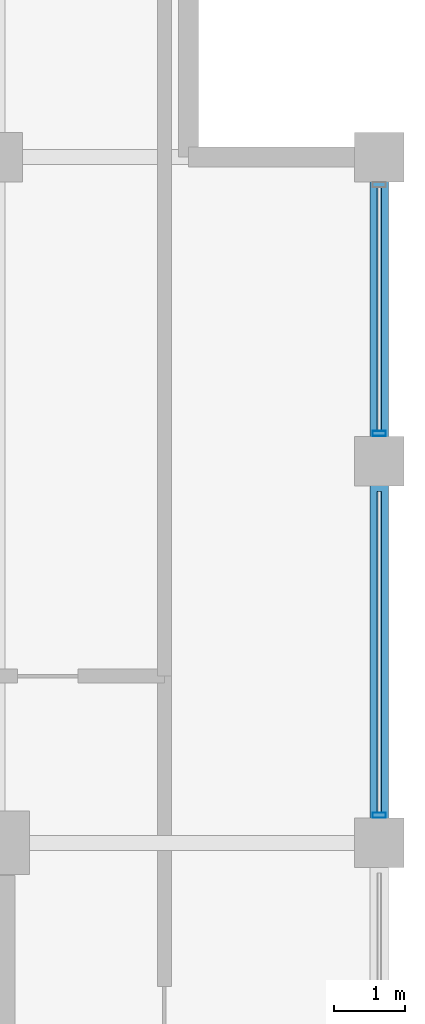
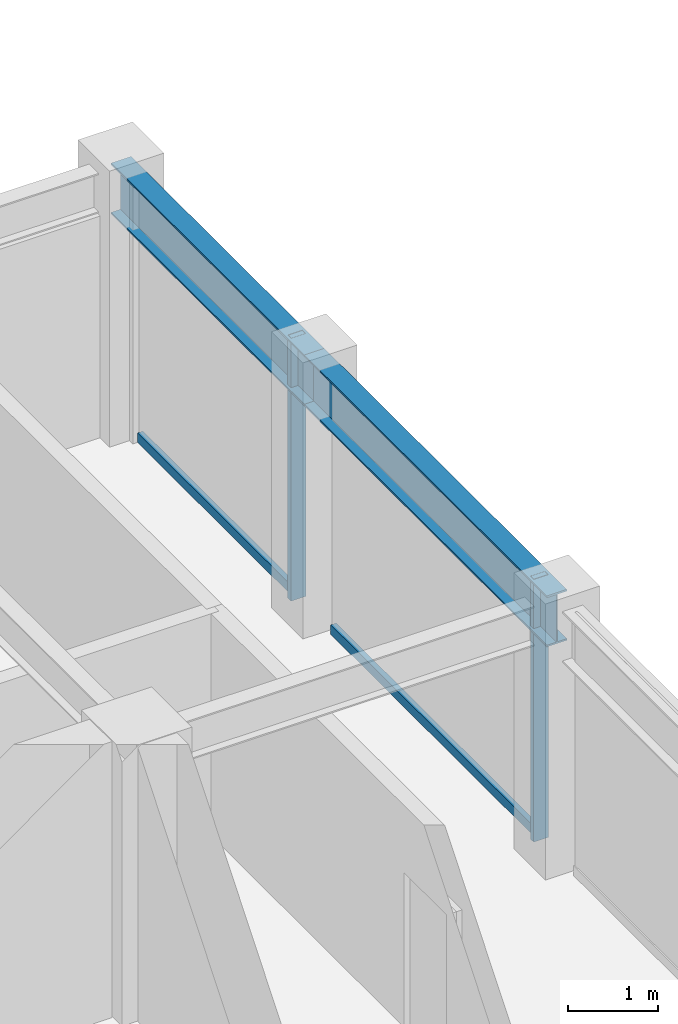
# One storey, part 21 of 31: 4 members, 2 beams, 1 element without a shape of its own.
"""IFC4 building model written with IfcOpenShell, lengths in metres."""

import ifcopenshell
import ifcopenshell.guid

model = None  # the IFC model being written
_history = None  # IfcOwnerHistory: only IFC2X3 demands one
_inside = {}  # id of a spatial element -> (the spatial element, [elements in it])
_under = {}  # id of a project, library or spatial element -> (it, [spatial elements below it])
_declared = {}  # id of a project -> (the project, [libraries it declares])
_typed = {}  # id of a type object -> (the type object, [elements of that type])
_made_of = {}  # id of a material, layer set ... -> (it, [elements and type objects made of it])


def new_model(schema):
    """Start an empty IFC model of exactly this schema.

    Asked for "IFC4X3", IfcOpenShell would pick the latest addendum, in which some entities
    have other attributes; the version numbers below select the first issue.
    IFC2X3 requires an IfcOwnerHistory on every rooted entity: one is made here for all.
    """
    global model, _history
    if schema == "IFC4X3":
        model = ifcopenshell.file(schema_version=(4, 3, 0, 0))
    else:
        model = ifcopenshell.file(schema=schema)
    _inside.clear()
    _under.clear()
    _declared.clear()
    _typed.clear()
    _made_of.clear()
    _history = None
    if model.schema == "IFC2X3":
        org = make("IfcOrganization", Name="unknown")
        user = make(
            "IfcPersonAndOrganization",
            ThePerson=make("IfcPerson", FamilyName="unknown"),
            TheOrganization=org,
        )
        app = make(
            "IfcApplication",
            ApplicationDeveloper=org,
            Version="unknown",
            ApplicationFullName="unknown",
            ApplicationIdentifier="unknown",
        )
        _history = make(
            "IfcOwnerHistory",
            OwningUser=user,
            OwningApplication=app,
            ChangeAction="ADDED",
            CreationDate=0,
        )
    return model


def make(cls, **values):
    """One entity of the class cls with the attributes given. An attribute that is None is left unset."""
    return model.create_entity(
        cls, **{name: value for name, value in values.items() if value is not None}
    )


def rooted(cls, **values):
    """An entity with a GlobalId (a new one), such as an element, a storey or a relation."""
    return make(cls, GlobalId=ifcopenshell.guid.new(), OwnerHistory=_history, **values)


def si_unit(unit_type, name, prefix=None):
    """IfcSIUnit, for example si_unit("LENGTHUNIT", "METRE", prefix="MILLI")."""
    return make("IfcSIUnit", UnitType=unit_type, Prefix=prefix, Name=name)


def assignment(units):
    """IfcUnitAssignment: the units of a project."""
    return None if units is None else make("IfcUnitAssignment", Units=units)


def point(xyz):
    """IfcCartesianPoint."""
    return None if xyz is None else make("IfcCartesianPoint", Coordinates=xyz)


def direction(xyz):
    """IfcDirection."""
    return None if xyz is None else make("IfcDirection", DirectionRatios=xyz)


def frame(location, z_axis=None, x_axis=None):
    """IfcAxis2Placement3D, a coordinate frame: its origin and axes. An axis left out is left unset."""
    return make(
        "IfcAxis2Placement3D",
        Location=point(location),
        Axis=direction(z_axis),
        RefDirection=direction(x_axis),
    )


def frame_2d(location, x_axis=None):
    """IfcAxis2Placement2D, a coordinate frame in the plane: its origin and x axis."""
    return make(
        "IfcAxis2Placement2D", Location=point(location), RefDirection=direction(x_axis)
    )


def origin():
    """The frame at (0, 0, 0) with its axes left unset."""
    return frame((0.0, 0.0, 0.0))


def origin_2d():
    """The frame at (0, 0) in the plane with its x axis left unset."""
    return frame_2d((0.0, 0.0))


def place(relative_to, where):
    """IfcLocalPlacement: puts the frame where relative to a parent placement (None: the world)."""
    return make(
        "IfcLocalPlacement", PlacementRelTo=relative_to, RelativePlacement=where
    )


def context(
    kind, dimensions, precision=None, world=None, true_north=None, identifier=None
):
    """IfcGeometricRepresentationContext, for example the 3D "Model" context."""
    return make(
        "IfcGeometricRepresentationContext",
        ContextIdentifier=identifier,
        ContextType=kind,
        CoordinateSpaceDimension=dimensions,
        Precision=precision,
        WorldCoordinateSystem=world,
        TrueNorth=true_north,
    )


def subcontext(parent, identifier, kind, view, scale=None):
    """IfcGeometricRepresentationSubContext, for example "Body" below "Model"."""
    return make(
        "IfcGeometricRepresentationSubContext",
        ContextIdentifier=identifier,
        ContextType=kind,
        ParentContext=parent,
        TargetScale=scale,
        TargetView=view,
    )


def project(units=None, contexts=None):
    """IfcProject with its units and contexts."""
    return rooted(
        "IfcProject",
        Name="project",
        RepresentationContexts=contexts,
        UnitsInContext=assignment(units),
    )


def spatial(cls, under=None, at=None, **own):
    """A site, building, storey or space (cls), placed at a placement, below another one or the project."""
    s = rooted(cls, ObjectPlacement=at, **own)
    if under is not None:
        _under.setdefault(under.id(), (under, []))[1].append(s)
    return s


def profile(cls, at=None, kind="AREA", **sizes):
    """A parametric profile (cls). Its sizes go by their IFC names, for example OverallWidth=200.0."""
    return make(cls, ProfileType=kind, Position=at, **sizes)


def hollow_rectangle(**sizes):
    """IfcRectangleHollowProfileDef."""
    return profile("IfcRectangleHollowProfileDef", **sizes)


def i_section(**sizes):
    """IfcIShapeProfileDef."""
    return profile("IfcIShapeProfileDef", **sizes)


def extrude(swept, where, along, depth):
    """IfcExtrudedAreaSolid: the profile swept, set in the frame where, extruded along a direction by depth."""
    return make(
        "IfcExtrudedAreaSolid",
        SweptArea=swept,
        Position=where,
        ExtrudedDirection=direction(along),
        Depth=depth,
    )


def shape(context_of_items, identifier, shape_type, items):
    """IfcShapeRepresentation: the items that make up one representation, for example the "Body"."""
    return make(
        "IfcShapeRepresentation",
        ContextOfItems=context_of_items,
        RepresentationIdentifier=identifier,
        RepresentationType=shape_type,
        Items=items,
    )


def material(Name=None, Category=None):
    """IfcMaterial."""
    return make("IfcMaterial", Name=Name, Category=Category)


def layer(
    of_material, thickness, ventilated=None, Name=None, Category=None, Priority=None
):
    """IfcMaterialLayer: one layer of a wall or slab, of a material (None: an air gap)."""
    return make(
        "IfcMaterialLayer",
        Material=of_material,
        LayerThickness=thickness,
        IsVentilated=ventilated,
        Name=Name,
        Category=Category,
        Priority=Priority,
    )


def layer_set(layers, Name=None):
    """IfcMaterialLayerSet."""
    return make("IfcMaterialLayerSet", MaterialLayers=layers, LayerSetName=Name)


def material_profile(
    of_material, cross_section, Name=None, Category=None, Priority=None
):
    """IfcMaterialProfile: a cross section and its material."""
    return make(
        "IfcMaterialProfile",
        Name=Name,
        Material=of_material,
        Profile=cross_section,
        Priority=Priority,
        Category=Category,
    )


def profile_set(profiles, Name=None, composite=None):
    """IfcMaterialProfileSet."""
    return make(
        "IfcMaterialProfileSet",
        Name=Name,
        MaterialProfiles=profiles,
        CompositeProfile=composite,
    )


def made_of(thing, what):
    """Note that an element or type object is made of a material, layer set ...; save() writes the relation."""
    if what is not None:
        _made_of.setdefault(what.id(), (what, []))[1].append(thing)
    return thing


def type_object(cls, material=None, **own):
    """A type object (cls), such as IfcWallType, which elements share."""
    return made_of(rooted(cls, **own), material)


def element(
    cls,
    number,
    at=None,
    inside=None,
    cuts=None,
    type_object=None,
    material=None,
    context=None,
    identifier="Body",
    shape_type=None,
    held_by="IfcProductDefinitionShape",
    body=None,
    shapes=None,
    **own,
):
    """One element of the class cls, such as IfcWall. Its Tag is "e" and its number.

    at: its placement. inside: the storey or other place that contains it. cuts: it is an
    opening in that element (IfcRelVoidsElement). A single representation is given by context,
    identifier, shape_type and body (its items); several are given by shapes. held_by: the class
    of the entity that holds the representations. save() writes the other relations.
    """
    e = rooted(cls, Tag="e%d" % number, ObjectPlacement=at, **own)
    if body is not None:
        shapes = [shape(context, identifier, shape_type, body)]
    if shapes is not None:
        e.Representation = make(held_by, Representations=shapes)
    if inside is not None:
        _inside.setdefault(inside.id(), (inside, []))[1].append(e)
    if cuts is not None:
        rooted(
            "IfcRelVoidsElement", RelatingBuildingElement=cuts, RelatedOpeningElement=e
        )
    if type_object is not None:
        _typed.setdefault(type_object.id(), (type_object, []))[1].append(e)
    return made_of(e, material)


def aggregate(whole, parts):
    """IfcRelAggregates: a whole, such as a stair, and the parts it consists of."""
    return rooted("IfcRelAggregates", RelatingObject=whole, RelatedObjects=parts)


def save(model, path):
    """Write the relations noted so far, then the file.

    IfcRelAggregates (storeys below a building ...), IfcRelContainedInSpatialStructure (elements
    in a storey), IfcRelDefinesByType, IfcRelAssociatesMaterial and IfcRelDeclares: one each for
    every whole, place, type object, material and project.
    """
    for whole, parts in _under.values():
        aggregate(whole, parts)
    for where, things in _inside.values():
        rooted(
            "IfcRelContainedInSpatialStructure",
            RelatedElements=things,
            RelatingStructure=where,
        )
    for kind, things in _typed.values():
        rooted("IfcRelDefinesByType", RelatedObjects=things, RelatingType=kind)
    for what, things in _made_of.values():
        rooted("IfcRelAssociatesMaterial", RelatedObjects=things, RelatingMaterial=what)
    for by, libraries in _declared.values():
        rooted("IfcRelDeclares", RelatingContext=by, RelatedDefinitions=libraries)
    model.write(path)


model = new_model("IFC4")

# Units and contexts
model_context = context("Model", 3, precision=1e-05, world=origin(), true_north=direction((0.0, 1.0)))
body_context = subcontext(model_context, "Body", "Model", "MODEL_VIEW")
ifc_project = project(units=[si_unit("LENGTHUNIT", "METRE"), si_unit("AREAUNIT", "SQUARE_METRE"), si_unit("VOLUMEUNIT", "CUBIC_METRE"), si_unit("PLANEANGLEUNIT", "RADIAN"), si_unit("MASSUNIT", "GRAM", prefix="KILO")], contexts=[model_context])

# Site, building, storey
site_placement = place(None, origin())
site = spatial("IfcSite", under=ifc_project, at=site_placement, CompositionType="ELEMENT")
building_placement = place(site_placement, origin())
building = spatial("IfcBuilding", under=site, at=building_placement, Name="Surkhivell Harbour Commons", CompositionType="ELEMENT")
storey_placement = place(building_placement, frame((0.0, 0.0, 285.0)))
storey = spatial("IfcBuildingStorey", under=building, at=storey_placement, Name="L74", CompositionType="ELEMENT", Elevation=285.0)

# Beams
ifc_material_1 = material(Name="Steel S355", Category="steel")
ifc_material_profile_1 = material_profile(ifc_material_1, i_section(OverallWidth=0.256103515625, OverallDepth=0.693115234375, WebThickness=0.014404296875, FlangeThickness=0.023681640625, at=origin_2d()), Name="UB686x254x170")
ifc_profile_set_1 = profile_set([ifc_material_profile_1], Name="Steel S355")
beam_type = type_object("IfcBeamType", Name="BM-SPN-686", PredefinedType="SPANDREL", material=ifc_profile_set_1)
beam_1_placement = place(storey_placement, frame((16.199951171875, 10.800048828125, 3.223388671875), z_axis=(0.0, 1.0, 0.0), x_axis=(-1.0, 0.0, 0.0)))
element("IfcBeam", 1, at=beam_1_placement, inside=storey, type_object=beam_type, Name="L74 Tube Spandrel (16.2,10.8)", PredefinedType="SPANDREL", context=body_context, shape_type="SweptSolid", body=[
    extrude(i_section(OverallWidth=0.256103515625, OverallDepth=0.693115234375, WebThickness=0.014404296875, FlangeThickness=0.023681640625, at=origin_2d()), origin(), (0.0, 0.0, 1.0), 5.39990234375),
])
beam_2_placement = place(storey_placement, frame((16.199951171875, 16.199951171875, 3.223388671875), z_axis=(0.0, 1.0, 0.0), x_axis=(-1.0, 0.0, 0.0)))
element("IfcBeam", 2, at=beam_2_placement, inside=storey, type_object=beam_type, Name="L74 Tube Spandrel (16.2,16.2)", PredefinedType="SPANDREL", context=body_context, shape_type="SweptSolid", body=[
    extrude(i_section(OverallWidth=0.256103515625, OverallDepth=0.693115234375, WebThickness=0.014404296875, FlangeThickness=0.023681640625, at=origin_2d()), origin(), (0.0, 0.0, 1.0), 4.300048828125),
])

# Curtain wall, members
ifc_material_2 = material(Name="Anodised pale-metal aluminium and insulated glazing", Category="aluminium")
ifc_layer = layer(ifc_material_2, 0.175048828125)
ifc_layer_set = layer_set([ifc_layer], Name="Anodised pale-metal aluminium and insulated glazing")
curtain_wall_type = type_object("IfcCurtainWallType", Name="CW-SYS-Z4", PredefinedType="NOTDEFINED", material=ifc_layer_set)
curtain_wall_placement = place(storey_placement, origin())
curtain_wall = element("IfcCurtainWall", 3, at=curtain_wall_placement, inside=storey, type_object=curtain_wall_type, Name="L74 Curtain Wall CW-L74-E02", PredefinedType="NOTDEFINED")
ifc_material_3 = material(Name="Anodised pale-metal aluminium alloy 6063-T6", Category="aluminium")
ifc_material_profile_2 = material_profile(ifc_material_3, hollow_rectangle(XDim=0.074951171875, YDim=0.18994140625, WallThickness=0.00390625, at=origin_2d()), Name="ALU-MULL-75x190")
ifc_profile_set_2 = profile_set([ifc_material_profile_2], Name="Anodised pale-metal aluminium alloy 6063-T6")
member_type_1 = type_object("IfcMemberType", Name="CWM-190", PredefinedType="MULLION", material=ifc_profile_set_2)
member_1_placement = place(storey_placement, frame((16.199951171875, 11.189453125, 0.0), z_axis=(0.0, 0.0, 1.0), x_axis=(0.0, 1.0, 0.0)))
member_1 = element("IfcMember", 4, at=member_1_placement, type_object=member_type_1, Name="CW-Z4 mullion 4", PredefinedType="MULLION", context=body_context, shape_type="SweptSolid", body=[
    extrude(hollow_rectangle(XDim=0.074951171875, YDim=0.18994140625, WallThickness=0.00390625, at=origin_2d()), origin(), (0.0, 0.0, 1.0), 3.570068359375),
])
member_2_placement = place(storey_placement, frame((16.199951171875, 16.589599609375, 0.0), z_axis=(0.0, 0.0, 1.0), x_axis=(0.0, 1.0, 0.0)))
member_2 = element("IfcMember", 5, at=member_2_placement, type_object=member_type_1, Name="CW-Z4 mullion 5", PredefinedType="MULLION", context=body_context, shape_type="SweptSolid", body=[
    extrude(hollow_rectangle(XDim=0.074951171875, YDim=0.18994140625, WallThickness=0.00390625, at=origin_2d()), origin(), (0.0, 0.0, 1.0), 3.570068359375),
])
ifc_material_4 = material(Name="Champagne anodised aluminium alloy 6063-T6", Category="aluminium")
ifc_material_profile_3 = material_profile(ifc_material_4, hollow_rectangle(XDim=0.070068359375, YDim=0.1298828125, WallThickness=0.00341796875, at=origin_2d()), Name="ALU-TRAN-70x130")
ifc_profile_set_3 = profile_set([ifc_material_profile_3], Name="Champagne anodised aluminium alloy 6063-T6")
member_type_2 = type_object("IfcMemberType", Name="CWT-130", PredefinedType="USERDEFINED", material=ifc_profile_set_3)
member_3_placement = place(storey_placement, frame((16.199951171875, 11.22705078125, 0.06494140625), z_axis=(0.0, 1.0, 0.0), x_axis=(-1.0, 0.0, 0.0)))
member_3 = element("IfcMember", 6, at=member_3_placement, type_object=member_type_2, Name="CW-Z4 transom 4.1", ObjectType="TRANSOM", PredefinedType="USERDEFINED", context=body_context, shape_type="SweptSolid", body=[
    extrude(hollow_rectangle(XDim=0.070068359375, YDim=0.1298828125, WallThickness=0.00341796875, at=origin_2d()), origin(), (0.0, 0.0, 1.0), 4.5458984375),
])
member_4_placement = place(storey_placement, frame((16.199951171875, 16.626953125, 0.06494140625), z_axis=(0.0, 1.0, 0.0), x_axis=(-1.0, 0.0, 0.0)))
member_4 = element("IfcMember", 7, at=member_4_placement, type_object=member_type_2, Name="CW-Z4 transom 5.1", ObjectType="TRANSOM", PredefinedType="USERDEFINED", context=body_context, shape_type="SweptSolid", body=[
    extrude(hollow_rectangle(XDim=0.070068359375, YDim=0.1298828125, WallThickness=0.00341796875, at=origin_2d()), origin(), (0.0, 0.0, 1.0), 3.446044921875),
])
aggregate(curtain_wall, [member_1, member_3, member_2, member_4])

save(model, "model.ifc")
